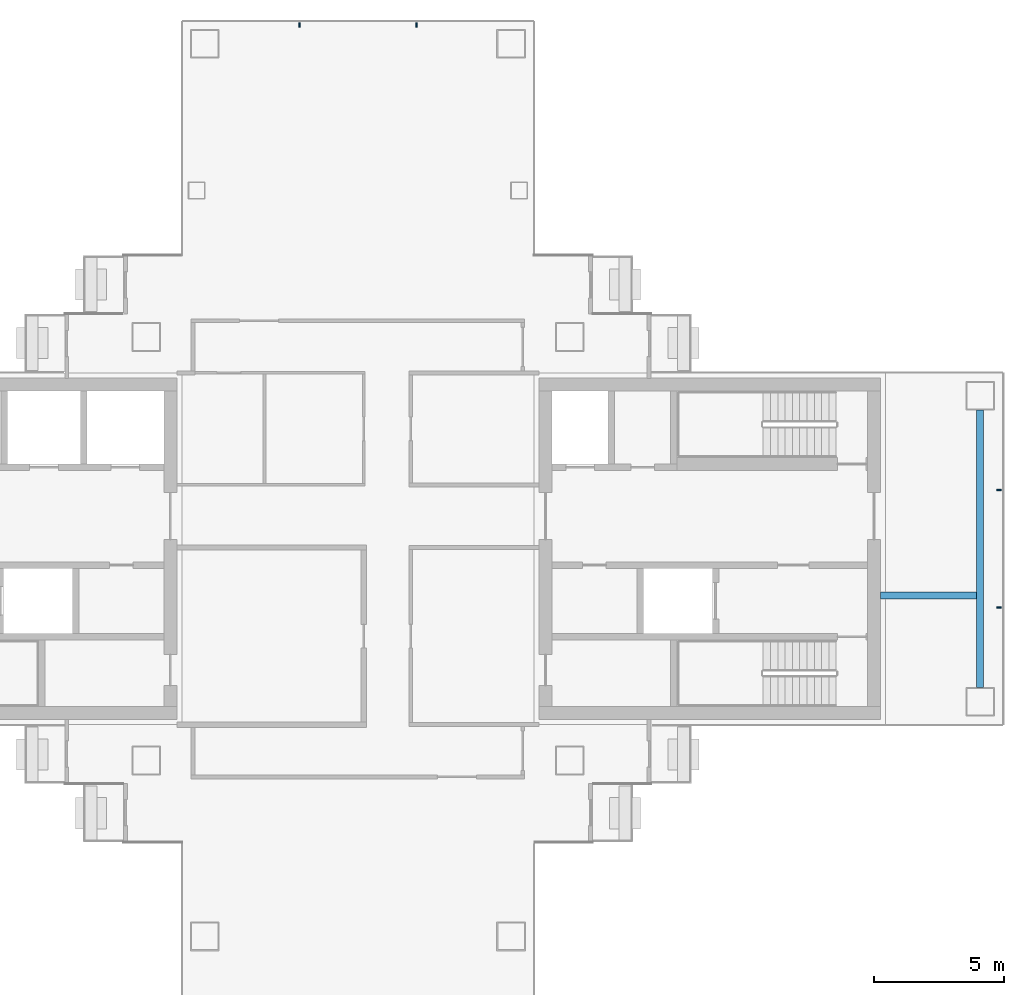
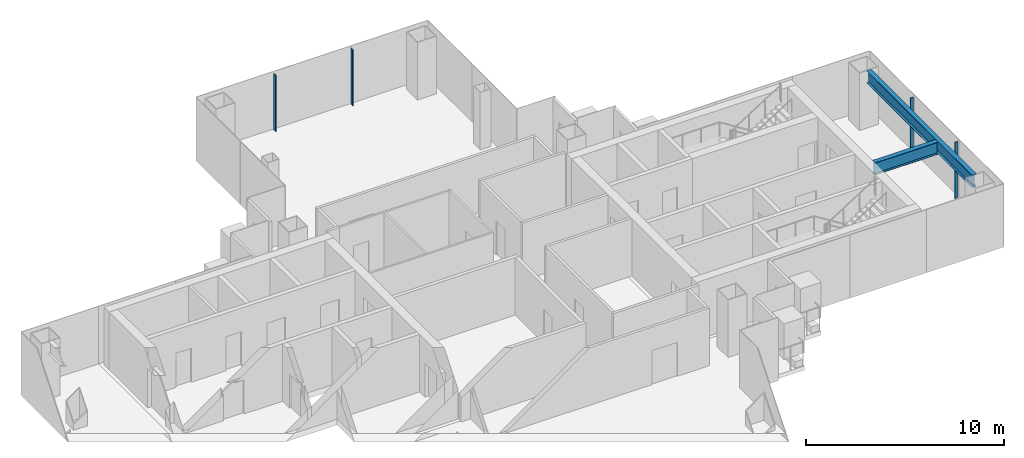
# One storey, part 6 of 16: 4 members, 2 beams, 2 elements without a shape of their own.
"""IFC4 building model written with IfcOpenShell, lengths in metres."""

from ifc_helpers import new_model, si_unit, direction, frame, origin, origin_2d, place, context, subcontext, project, spatial, rectangle, i_section, extrude, material, layer, layer_set, material_profile, profile_set, type_object, element, aggregate, save


model = new_model("IFC4")

# Units and contexts
model_context = context("Model", 3, precision=1e-05, world=origin(), true_north=direction((0.0, 1.0)))
body_context = subcontext(model_context, "Body", "Model", "MODEL_VIEW")
ifc_project = project(units=[si_unit("LENGTHUNIT", "METRE"), si_unit("AREAUNIT", "SQUARE_METRE"), si_unit("VOLUMEUNIT", "CUBIC_METRE"), si_unit("PLANEANGLEUNIT", "RADIAN"), si_unit("MASSUNIT", "GRAM", prefix="KILO")], contexts=[model_context])

# Site, building, storey
site_placement = place(None, origin())
site = spatial("IfcSite", under=ifc_project, at=site_placement, CompositionType="ELEMENT")
building_placement = place(site_placement, origin())
building = spatial("IfcBuilding", under=site, at=building_placement, Name="Shamsa Quay Exchange Towers", CompositionType="ELEMENT")
storey_placement = place(building_placement, frame((0.0, 0.0, 138.89990234375)))
storey = spatial("IfcBuildingStorey", under=building, at=storey_placement, Name="L32", CompositionType="ELEMENT", Elevation=138.89990234375)

# Curtain wall, members
ifc_material_1 = material(Name="Aluminium EN AW-6063 T6, black anodised", Category="aluminium")
ifc_layer = layer(ifc_material_1, 0.280029296875)
ifc_layer_set = layer_set([ifc_layer], Name="CW-1 UNITISED VISION GLASS")
curtain_wall_type = type_object("IfcCurtainWallType", Name="CW-1 UNITISED VISION GLASS", PredefinedType="NOTDEFINED", material=ifc_layer_set)
curtain_wall_1_placement = place(storey_placement, origin())
curtain_wall_1 = element("IfcCurtainWall", 1, at=curtain_wall_1_placement, inside=storey, type_object=curtain_wall_type, Name="CW1 T2-END-V- L32", PredefinedType="NOTDEFINED")
ifc_material_profile_1 = material_profile(ifc_material_1, rectangle(XDim=0.179931640625, YDim=0.06005859375, at=origin_2d()), Name="MU60x180")
ifc_profile_set_1 = profile_set([ifc_material_profile_1], Name="Aluminium EN AW-6063 T6, black anodised")
member_type = type_object("IfcMemberType", Name="CW1 MULLION 60x180", PredefinedType="MULLION", material=ifc_profile_set_1)
member_1_placement = place(storey_placement, frame((58.35009765625, -2.25, 0.0), z_axis=(0.0, 0.0, 1.0), x_axis=(-1.0, 0.0, 0.0)))
member_1 = element("IfcMember", 2, at=member_1_placement, type_object=member_type, Name="CW1 mullion", PredefinedType="MULLION", context=body_context, shape_type="SweptSolid", body=[
    extrude(rectangle(XDim=0.179931640625, YDim=0.06005859375, at=origin_2d()), origin(), (0.0, 0.0, 1.0), 3.4501953125),
])
member_2_placement = place(storey_placement, frame((58.35009765625, 2.25, 0.0), z_axis=(0.0, 0.0, 1.0), x_axis=(-1.0, 0.0, 0.0)))
member_2 = element("IfcMember", 3, at=member_2_placement, type_object=member_type, Name="CW1 mullion", PredefinedType="MULLION", context=body_context, shape_type="SweptSolid", body=[
    extrude(rectangle(XDim=0.179931640625, YDim=0.06005859375, at=origin_2d()), origin(), (0.0, 0.0, 1.0), 3.4501953125),
])
aggregate(curtain_wall_1, [member_1, member_2])

curtain_wall_2_placement = place(storey_placement, origin())
curtain_wall_2 = element("IfcCurtainWall", 4, at=curtain_wall_2_placement, inside=storey, type_object=curtain_wall_type, Name="CW1 T2-END-U+ L32", PredefinedType="NOTDEFINED")
member_3_placement = place(storey_placement, frame((36.0, 20.10009765625, 0.0), z_axis=(0.0, 0.0, 1.0), x_axis=(0.0, -1.0, 0.0)))
member_3 = element("IfcMember", 5, at=member_3_placement, type_object=member_type, Name="CW1 mullion", PredefinedType="MULLION", context=body_context, shape_type="SweptSolid", body=[
    extrude(rectangle(XDim=0.179931640625, YDim=0.06005859375, at=origin_2d()), origin(), (0.0, 0.0, 1.0), 3.4501953125),
])
member_4_placement = place(storey_placement, frame((31.5, 20.10009765625, 0.0), z_axis=(0.0, 0.0, 1.0), x_axis=(0.0, -1.0, 0.0)))
member_4 = element("IfcMember", 6, at=member_4_placement, type_object=member_type, Name="CW1 mullion", PredefinedType="MULLION", context=body_context, shape_type="SweptSolid", body=[
    extrude(rectangle(XDim=0.179931640625, YDim=0.06005859375, at=origin_2d()), origin(), (0.0, 0.0, 1.0), 3.4501953125),
])
aggregate(curtain_wall_2, [member_3, member_4])

# Beams
ifc_material_2 = material(Name="Steel S355", Category="steel")
ifc_material_profile_2 = material_profile(ifc_material_2, i_section(OverallWidth=0.26611328125, OverallDepth=0.7578125, WebThickness=0.013916015625, FlangeThickness=0.019287109375, at=origin_2d()), Name="W30x108")
ifc_profile_set_2 = profile_set([ifc_material_profile_2], Name="Steel S355")
beam_type = type_object("IfcBeamType", Name="End-zone beam W30x108", PredefinedType="BEAM", material=ifc_profile_set_2)
beam_1_placement = place(storey_placement, frame((57.625, -5.324951171875, 3.171142578125), z_axis=(0.0, 1.0, 0.0), x_axis=(-1.0, 0.0, 0.0)))
element("IfcBeam", 7, at=beam_1_placement, inside=storey, type_object=beam_type, Name="End beam T2 V- end zone L32", PredefinedType="BEAM", context=body_context, shape_type="SweptSolid", body=[
    extrude(i_section(OverallWidth=0.26611328125, OverallDepth=0.7578125, WebThickness=0.013916015625, FlangeThickness=0.019287109375, at=origin_2d()), origin(), (0.0, 0.0, 1.0), 10.64990234375),
])
beam_2_placement = place(storey_placement, frame((53.800048828125, -1.800048828125, 3.171142578125), z_axis=(1.0, 0.0, 0.0), x_axis=(0.0, 1.0, 0.0)))
element("IfcBeam", 8, at=beam_2_placement, inside=storey, type_object=beam_type, Name="Spine beam T2 V- end zone L32", PredefinedType="BEAM", context=body_context, shape_type="SweptSolid", body=[
    extrude(i_section(OverallWidth=0.26611328125, OverallDepth=0.7578125, WebThickness=0.013916015625, FlangeThickness=0.019287109375, at=origin_2d()), origin(), (0.0, 0.0, 1.0), 3.69189453125),
])

save(model, "model.ifc")
